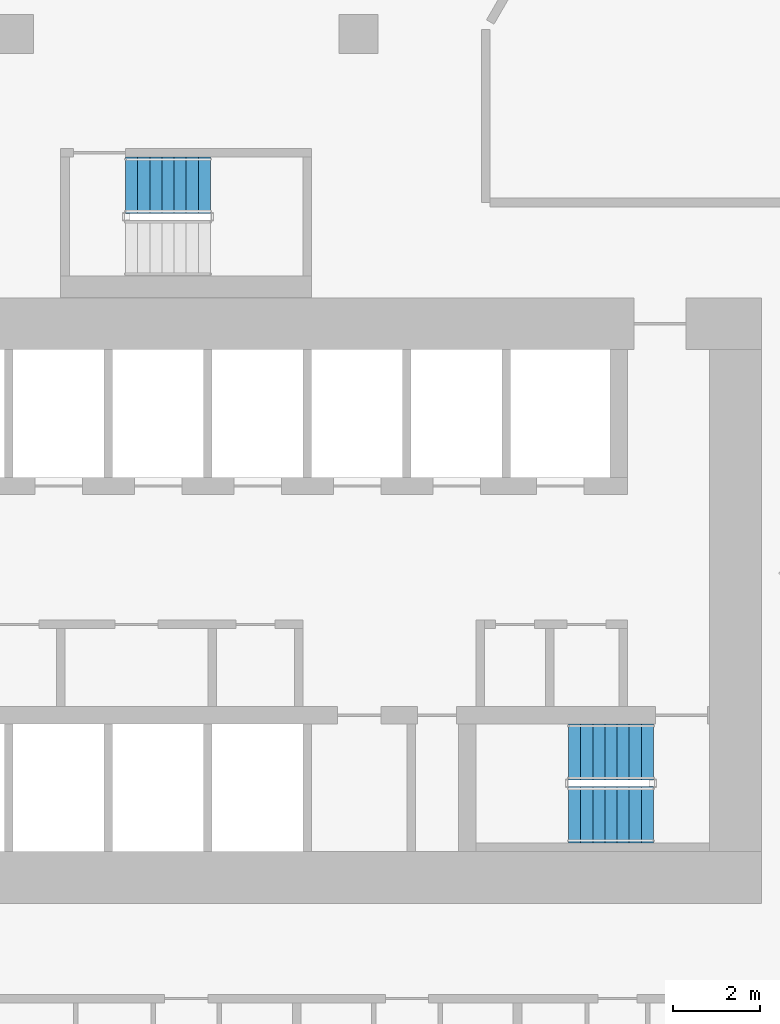
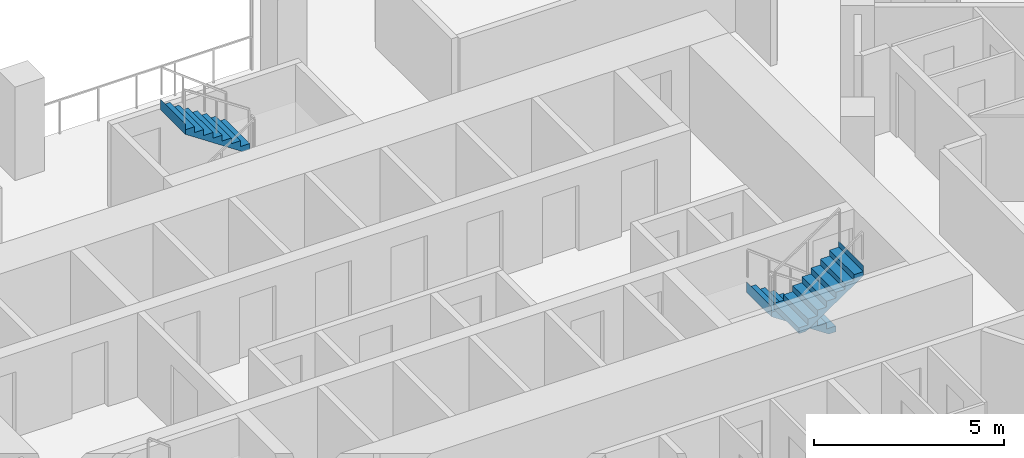
# One storey, part 17 of 21: 3 stair flights, 2 elements without a shape of their own.
"""IFC4 building model written with IfcOpenShell, lengths in metres."""

from ifc_helpers import new_model, si_unit, direction, frame, origin, place, context, subcontext, project, spatial, triangles, material, type_object, element, aggregate, save


model = new_model("IFC4")

# Units and contexts
model_context = context("Model", 3, precision=1e-05, world=origin(), true_north=direction((0.0, 1.0)))
body_context = subcontext(model_context, "Body", "Model", "MODEL_VIEW")
ifc_project = project(units=[si_unit("LENGTHUNIT", "METRE"), si_unit("AREAUNIT", "SQUARE_METRE"), si_unit("VOLUMEUNIT", "CUBIC_METRE"), si_unit("PLANEANGLEUNIT", "RADIAN"), si_unit("MASSUNIT", "GRAM", prefix="KILO")], contexts=[model_context])

# Site, building, storey
site_placement = place(None, origin())
site = spatial("IfcSite", under=ifc_project, at=site_placement, CompositionType="ELEMENT")
building_placement = place(site_placement, origin())
building = spatial("IfcBuilding", under=site, at=building_placement, Name="Beryl Residences", CompositionType="ELEMENT")
storey_placement = place(building_placement, frame((0.0, 0.0, 35.39990234375)))
storey = spatial("IfcBuildingStorey", under=building, at=storey_placement, Name="L10", CompositionType="ELEMENT", Elevation=35.39990234375)

# Stair, stair flights
ifc_material_1 = material(Name="Concrete C40/50", Category="concrete")
stair_type = type_object("IfcStairType", Name="ST1 protected exit stair, half-turn, 1300 mm flights", PredefinedType="HALF_TURN_STAIR", material=ifc_material_1)
stair_1_placement = place(storey_placement, origin())
stair_1 = element("IfcStair", 1, at=stair_1_placement, inside=storey, type_object=stair_type, Name="L10 PROTECTED EXIT STAIR ST-3", PredefinedType="HALF_TURN_STAIR")
ifc_material_2 = material(Name="Concrete C40/50", Category="concrete")
stair_flight_type = type_object("IfcStairFlightType", Name="SF1 stair flight 1300 mm", PredefinedType="STRAIGHT", material=ifc_material_2)
stair_flight_1_placement = place(storey_placement, frame((10.800048828125, -15.5, 0.0), z_axis=(0.0, 0.0, 1.0), x_axis=(-1.0, 0.0, 0.0)))
stair_flight_1 = element("IfcStairFlight", 2, at=stair_flight_1_placement, type_object=stair_flight_type, Name="ST-3 flight 1", NumberOfRisers=8, NumberOfTreads=7, PredefinedType="STRAIGHT", RiserHeight=0.1875, TreadLength=0.28, context=body_context, shape_type="Tessellation", body=[
    triangles([(0.0, -0.64990234375, 0.0), (0.0, -0.324951171875, 0.0), (0.0, 0.0, 0.0), (0.0, 0.324951171875, 0.0), (0.0, 0.64990234375, 0.0), (0.0, -0.64990234375, 0.1875), (0.0, -0.324951171875, 0.1875), (0.0, 0.0, 0.1875), (0.0, 0.324951171875, 0.1875), (0.0, 0.64990234375, 0.1875), (0.280029296875, -0.64990234375, 0.1875), (0.280029296875, -0.324951171875, 0.1875), (0.280029296875, 0.0, 0.1875), (0.280029296875, 0.324951171875, 0.1875), (0.280029296875, 0.64990234375, 0.1875), (0.280029296875, -0.64990234375, 0.375), (0.280029296875, -0.324951171875, 0.375), (0.280029296875, 0.0, 0.375), (0.280029296875, 0.324951171875, 0.375), (0.280029296875, 0.64990234375, 0.375), (0.56005859375, -0.64990234375, 0.375), (0.56005859375, -0.324951171875, 0.375), (0.56005859375, 0.0, 0.375), (0.56005859375, 0.324951171875, 0.375), (0.56005859375, 0.64990234375, 0.375), (0.56005859375, -0.64990234375, 0.5625), (0.56005859375, -0.324951171875, 0.5625), (0.56005859375, 0.0, 0.5625), (0.56005859375, 0.324951171875, 0.5625), (0.56005859375, 0.64990234375, 0.5625), (0.840087890625, -0.64990234375, 0.5625), (0.840087890625, -0.324951171875, 0.5625), (0.840087890625, 0.0, 0.5625), (0.840087890625, 0.324951171875, 0.5625), (0.840087890625, 0.64990234375, 0.5625), (0.840087890625, -0.64990234375, 0.75), (0.840087890625, -0.324951171875, 0.75), (0.840087890625, 0.0, 0.75), (0.840087890625, 0.324951171875, 0.75), (0.840087890625, 0.64990234375, 0.75), (1.1201171875, -0.64990234375, 0.75), (1.1201171875, -0.324951171875, 0.75), (1.1201171875, 0.0, 0.75), (1.1201171875, 0.324951171875, 0.75), (1.1201171875, 0.64990234375, 0.75), (1.1201171875, -0.64990234375, 0.9375), (1.1201171875, -0.324951171875, 0.9375), (1.1201171875, 0.0, 0.9375), (1.1201171875, 0.324951171875, 0.9375), (1.1201171875, 0.64990234375, 0.9375), (1.39990234375, -0.64990234375, 0.9375), (1.39990234375, -0.324951171875, 0.9375), (1.39990234375, 0.0, 0.9375), (1.39990234375, 0.324951171875, 0.9375), (1.39990234375, 0.64990234375, 0.9375), (1.39990234375, -0.64990234375, 1.125), (1.39990234375, -0.324951171875, 1.125), (1.39990234375, 0.0, 1.125), (1.39990234375, 0.324951171875, 1.125), (1.39990234375, 0.64990234375, 1.125), (1.679931640625, -0.64990234375, 1.125), (1.679931640625, -0.324951171875, 1.125), (1.679931640625, 0.0, 1.125), (1.679931640625, 0.324951171875, 1.125), (1.679931640625, 0.64990234375, 1.125), (1.679931640625, -0.64990234375, 1.3125), (1.679931640625, -0.324951171875, 1.3125), (1.679931640625, 0.0, 1.3125), (1.679931640625, 0.324951171875, 1.3125), (1.679931640625, 0.64990234375, 1.3125), (1.9599609375, -0.64990234375, 1.3125), (1.9599609375, -0.324951171875, 1.3125), (1.9599609375, 0.0, 1.3125), (1.9599609375, 0.324951171875, 1.3125), (1.9599609375, 0.64990234375, 1.3125), (1.9599609375, -0.64990234375, 1.5), (1.9599609375, -0.324951171875, 1.5), (1.9599609375, 0.0, 1.5), (1.9599609375, 0.324951171875, 1.5), (1.9599609375, 0.64990234375, 1.5), (1.9609375, -0.64990234375, 1.5), (1.9609375, -0.324951171875, 1.5), (1.9609375, 0.0, 1.5), (1.9609375, 0.324951171875, 1.5), (1.9609375, 0.64990234375, 1.5), (1.9609375, -0.64990234375, 1.16796875), (1.9609375, -0.324951171875, 1.16796875), (1.9609375, 0.0, 1.16796875), (1.9609375, 0.324951171875, 1.16796875), (1.9609375, 0.64990234375, 1.16796875), (0.216796875, -0.64990234375, 0.0), (0.216796875, -0.324951171875, 0.0), (0.216796875, 0.0, 0.0), (0.216796875, 0.324951171875, 0.0), (0.216796875, 0.64990234375, 0.0)], [[1, 6, 7], [1, 7, 2], [2, 7, 8], [2, 8, 3], [3, 8, 9], [3, 9, 4], [4, 9, 10], [4, 10, 5], [6, 11, 12], [6, 12, 7], [7, 12, 13], [7, 13, 8], [8, 13, 14], [8, 14, 9], [9, 14, 15], [9, 15, 10], [11, 16, 17], [11, 17, 12], [12, 17, 18], [12, 18, 13], [13, 18, 19], [13, 19, 14], [14, 19, 20], [14, 20, 15], [16, 21, 22], [16, 22, 17], [17, 22, 23], [17, 23, 18], [18, 23, 24], [18, 24, 19], [19, 24, 25], [19, 25, 20], [21, 26, 27], [21, 27, 22], [22, 27, 28], [22, 28, 23], [23, 28, 29], [23, 29, 24], [24, 29, 30], [24, 30, 25], [26, 31, 32], [26, 32, 27], [27, 32, 33], [27, 33, 28], [28, 33, 34], [28, 34, 29], [29, 34, 35], [29, 35, 30], [31, 36, 37], [31, 37, 32], [32, 37, 38], [32, 38, 33], [33, 38, 39], [33, 39, 34], [34, 39, 40], [34, 40, 35], [36, 41, 42], [36, 42, 37], [37, 42, 43], [37, 43, 38], [38, 43, 44], [38, 44, 39], [39, 44, 45], [39, 45, 40], [41, 46, 47], [41, 47, 42], [42, 47, 48], [42, 48, 43], [43, 48, 49], [43, 49, 44], [44, 49, 50], [44, 50, 45], [46, 51, 52], [46, 52, 47], [47, 52, 53], [47, 53, 48], [48, 53, 54], [48, 54, 49], [49, 54, 55], [49, 55, 50], [51, 56, 57], [51, 57, 52], [52, 57, 58], [52, 58, 53], [53, 58, 59], [53, 59, 54], [54, 59, 60], [54, 60, 55], [56, 61, 62], [56, 62, 57], [57, 62, 63], [57, 63, 58], [58, 63, 64], [58, 64, 59], [59, 64, 65], [59, 65, 60], [61, 66, 67], [61, 67, 62], [62, 67, 68], [62, 68, 63], [63, 68, 69], [63, 69, 64], [64, 69, 70], [64, 70, 65], [66, 71, 72], [66, 72, 67], [67, 72, 73], [67, 73, 68], [68, 73, 74], [68, 74, 69], [69, 74, 75], [69, 75, 70], [71, 76, 77], [71, 77, 72], [72, 77, 78], [72, 78, 73], [73, 78, 79], [73, 79, 74], [74, 79, 80], [74, 80, 75], [76, 81, 82], [76, 82, 77], [77, 82, 83], [77, 83, 78], [78, 83, 84], [78, 84, 79], [79, 84, 85], [79, 85, 80], [81, 86, 87], [81, 87, 82], [82, 87, 88], [82, 88, 83], [83, 88, 89], [83, 89, 84], [84, 89, 90], [84, 90, 85], [86, 91, 92], [86, 92, 87], [87, 92, 93], [87, 93, 88], [88, 93, 94], [88, 94, 89], [89, 94, 95], [89, 95, 90], [91, 1, 2], [91, 2, 92], [92, 2, 3], [92, 3, 93], [93, 3, 4], [93, 4, 94], [94, 4, 5], [94, 5, 95], [1, 91, 86], [5, 90, 95], [86, 81, 76], [90, 80, 85], [86, 76, 71], [90, 75, 80], [86, 71, 66], [90, 70, 75], [86, 66, 61], [90, 65, 70], [61, 56, 51], [65, 55, 60], [86, 61, 51], [90, 55, 65], [51, 46, 41], [55, 45, 50], [86, 51, 41], [90, 45, 55], [41, 36, 31], [45, 35, 40], [86, 41, 31], [90, 35, 45], [31, 26, 21], [35, 25, 30], [86, 31, 21], [90, 25, 35], [21, 16, 11], [25, 15, 20], [86, 21, 11], [90, 15, 25], [1, 86, 11], [5, 15, 90], [11, 6, 1], [15, 5, 10]], closed=True),
])
stair_flight_2_placement = place(storey_placement, frame((8.840087890625, -16.949951171875, 1.5), z_axis=(0.0, 0.0, 1.0), x_axis=(1.0, 0.0, 0.0)))
stair_flight_2 = element("IfcStairFlight", 3, at=stair_flight_2_placement, type_object=stair_flight_type, Name="ST-3 flight 2", NumberOfRisers=8, NumberOfTreads=7, PredefinedType="STRAIGHT", RiserHeight=0.1875, TreadLength=0.28, context=body_context, shape_type="Tessellation", body=[
    triangles([(0.0, -0.64990234375, 0.0), (0.0, -0.324951171875, 0.0), (0.0, 0.0, 0.0), (0.0, 0.324951171875, 0.0), (0.0, 0.64990234375, 0.0), (0.0, -0.64990234375, 0.1875), (0.0, -0.324951171875, 0.1875), (0.0, 0.0, 0.1875), (0.0, 0.324951171875, 0.1875), (0.0, 0.64990234375, 0.1875), (0.280029296875, -0.64990234375, 0.1875), (0.280029296875, -0.324951171875, 0.1875), (0.280029296875, 0.0, 0.1875), (0.280029296875, 0.324951171875, 0.1875), (0.280029296875, 0.64990234375, 0.1875), (0.280029296875, -0.64990234375, 0.375), (0.280029296875, -0.324951171875, 0.375), (0.280029296875, 0.0, 0.375), (0.280029296875, 0.324951171875, 0.375), (0.280029296875, 0.64990234375, 0.375), (0.56005859375, -0.64990234375, 0.375), (0.56005859375, -0.324951171875, 0.375), (0.56005859375, 0.0, 0.375), (0.56005859375, 0.324951171875, 0.375), (0.56005859375, 0.64990234375, 0.375), (0.56005859375, -0.64990234375, 0.5625), (0.56005859375, -0.324951171875, 0.5625), (0.56005859375, 0.0, 0.5625), (0.56005859375, 0.324951171875, 0.5625), (0.56005859375, 0.64990234375, 0.5625), (0.840087890625, -0.64990234375, 0.5625), (0.840087890625, -0.324951171875, 0.5625), (0.840087890625, 0.0, 0.5625), (0.840087890625, 0.324951171875, 0.5625), (0.840087890625, 0.64990234375, 0.5625), (0.840087890625, -0.64990234375, 0.75), (0.840087890625, -0.324951171875, 0.75), (0.840087890625, 0.0, 0.75), (0.840087890625, 0.324951171875, 0.75), (0.840087890625, 0.64990234375, 0.75), (1.1201171875, -0.64990234375, 0.75), (1.1201171875, -0.324951171875, 0.75), (1.1201171875, 0.0, 0.75), (1.1201171875, 0.324951171875, 0.75), (1.1201171875, 0.64990234375, 0.75), (1.1201171875, -0.64990234375, 0.9375), (1.1201171875, -0.324951171875, 0.9375), (1.1201171875, 0.0, 0.9375), (1.1201171875, 0.324951171875, 0.9375), (1.1201171875, 0.64990234375, 0.9375), (1.39990234375, -0.64990234375, 0.9375), (1.39990234375, -0.324951171875, 0.9375), (1.39990234375, 0.0, 0.9375), (1.39990234375, 0.324951171875, 0.9375), (1.39990234375, 0.64990234375, 0.9375), (1.39990234375, -0.64990234375, 1.125), (1.39990234375, -0.324951171875, 1.125), (1.39990234375, 0.0, 1.125), (1.39990234375, 0.324951171875, 1.125), (1.39990234375, 0.64990234375, 1.125), (1.679931640625, -0.64990234375, 1.125), (1.679931640625, -0.324951171875, 1.125), (1.679931640625, 0.0, 1.125), (1.679931640625, 0.324951171875, 1.125), (1.679931640625, 0.64990234375, 1.125), (1.679931640625, -0.64990234375, 1.3125), (1.679931640625, -0.324951171875, 1.3125), (1.679931640625, 0.0, 1.3125), (1.679931640625, 0.324951171875, 1.3125), (1.679931640625, 0.64990234375, 1.3125), (1.9599609375, -0.64990234375, 1.3125), (1.9599609375, -0.324951171875, 1.3125), (1.9599609375, 0.0, 1.3125), (1.9599609375, 0.324951171875, 1.3125), (1.9599609375, 0.64990234375, 1.3125), (1.9599609375, -0.64990234375, 1.5), (1.9599609375, -0.324951171875, 1.5), (1.9599609375, 0.0, 1.5), (1.9599609375, 0.324951171875, 1.5), (1.9599609375, 0.64990234375, 1.5), (1.9609375, -0.64990234375, 1.5), (1.9609375, -0.324951171875, 1.5), (1.9609375, 0.0, 1.5), (1.9609375, 0.324951171875, 1.5), (1.9609375, 0.64990234375, 1.5), (1.9609375, -0.64990234375, 1.16796875), (1.9609375, -0.324951171875, 1.16796875), (1.9609375, 0.0, 1.16796875), (1.9609375, 0.324951171875, 1.16796875), (1.9609375, 0.64990234375, 1.16796875), (0.216796875, -0.64990234375, 0.0), (0.216796875, -0.324951171875, 0.0), (0.216796875, 0.0, 0.0), (0.216796875, 0.324951171875, 0.0), (0.216796875, 0.64990234375, 0.0)], [[1, 6, 7], [1, 7, 2], [2, 7, 8], [2, 8, 3], [3, 8, 9], [3, 9, 4], [4, 9, 10], [4, 10, 5], [6, 11, 12], [6, 12, 7], [7, 12, 13], [7, 13, 8], [8, 13, 14], [8, 14, 9], [9, 14, 15], [9, 15, 10], [11, 16, 17], [11, 17, 12], [12, 17, 18], [12, 18, 13], [13, 18, 19], [13, 19, 14], [14, 19, 20], [14, 20, 15], [16, 21, 22], [16, 22, 17], [17, 22, 23], [17, 23, 18], [18, 23, 24], [18, 24, 19], [19, 24, 25], [19, 25, 20], [21, 26, 27], [21, 27, 22], [22, 27, 28], [22, 28, 23], [23, 28, 29], [23, 29, 24], [24, 29, 30], [24, 30, 25], [26, 31, 32], [26, 32, 27], [27, 32, 33], [27, 33, 28], [28, 33, 34], [28, 34, 29], [29, 34, 35], [29, 35, 30], [31, 36, 37], [31, 37, 32], [32, 37, 38], [32, 38, 33], [33, 38, 39], [33, 39, 34], [34, 39, 40], [34, 40, 35], [36, 41, 42], [36, 42, 37], [37, 42, 43], [37, 43, 38], [38, 43, 44], [38, 44, 39], [39, 44, 45], [39, 45, 40], [41, 46, 47], [41, 47, 42], [42, 47, 48], [42, 48, 43], [43, 48, 49], [43, 49, 44], [44, 49, 50], [44, 50, 45], [46, 51, 52], [46, 52, 47], [47, 52, 53], [47, 53, 48], [48, 53, 54], [48, 54, 49], [49, 54, 55], [49, 55, 50], [51, 56, 57], [51, 57, 52], [52, 57, 58], [52, 58, 53], [53, 58, 59], [53, 59, 54], [54, 59, 60], [54, 60, 55], [56, 61, 62], [56, 62, 57], [57, 62, 63], [57, 63, 58], [58, 63, 64], [58, 64, 59], [59, 64, 65], [59, 65, 60], [61, 66, 67], [61, 67, 62], [62, 67, 68], [62, 68, 63], [63, 68, 69], [63, 69, 64], [64, 69, 70], [64, 70, 65], [66, 71, 72], [66, 72, 67], [67, 72, 73], [67, 73, 68], [68, 73, 74], [68, 74, 69], [69, 74, 75], [69, 75, 70], [71, 76, 77], [71, 77, 72], [72, 77, 78], [72, 78, 73], [73, 78, 79], [73, 79, 74], [74, 79, 80], [74, 80, 75], [76, 81, 82], [76, 82, 77], [77, 82, 83], [77, 83, 78], [78, 83, 84], [78, 84, 79], [79, 84, 85], [79, 85, 80], [81, 86, 87], [81, 87, 82], [82, 87, 88], [82, 88, 83], [83, 88, 89], [83, 89, 84], [84, 89, 90], [84, 90, 85], [86, 91, 92], [86, 92, 87], [87, 92, 93], [87, 93, 88], [88, 93, 94], [88, 94, 89], [89, 94, 95], [89, 95, 90], [91, 1, 2], [91, 2, 92], [92, 2, 3], [92, 3, 93], [93, 3, 4], [93, 4, 94], [94, 4, 5], [94, 5, 95], [1, 91, 86], [5, 90, 95], [86, 81, 76], [90, 80, 85], [86, 76, 71], [90, 75, 80], [86, 71, 66], [90, 70, 75], [86, 66, 61], [90, 65, 70], [61, 56, 51], [65, 55, 60], [86, 61, 51], [90, 55, 65], [51, 46, 41], [55, 45, 50], [86, 51, 41], [90, 45, 55], [41, 36, 31], [45, 35, 40], [86, 41, 31], [90, 35, 45], [31, 26, 21], [35, 25, 30], [86, 31, 21], [90, 25, 35], [21, 16, 11], [25, 15, 20], [86, 21, 11], [90, 15, 25], [1, 86, 11], [5, 15, 90], [11, 6, 1], [15, 5, 10]], closed=True),
])
aggregate(stair_1, [stair_flight_1, stair_flight_2])

# Stair, stair flight
stair_2_placement = place(storey_placement, origin())
stair_2 = element("IfcStair", 4, at=stair_2_placement, inside=storey, type_object=stair_type, Name="L10 PROTECTED EXIT STAIR ST-4", PredefinedType="HALF_TURN_STAIR")
stair_flight_3_placement = place(storey_placement, frame((0.56005859375, -2.39990234375, 1.5), z_axis=(0.0, 0.0, 1.0), x_axis=(-1.0, 0.0, 0.0)))
stair_flight_3 = element("IfcStairFlight", 5, at=stair_flight_3_placement, type_object=stair_flight_type, Name="ST-4 flight 2", NumberOfRisers=8, NumberOfTreads=7, PredefinedType="STRAIGHT", RiserHeight=0.1875, TreadLength=0.28, context=body_context, shape_type="Tessellation", body=[
    triangles([(0.0, -0.64990234375, 0.0), (0.0, -0.324951171875, 0.0), (0.0, 0.0, 0.0), (0.0, 0.324951171875, 0.0), (0.0, 0.64990234375, 0.0), (0.0, -0.64990234375, 0.1875), (0.0, -0.324951171875, 0.1875), (0.0, 0.0, 0.1875), (0.0, 0.324951171875, 0.1875), (0.0, 0.64990234375, 0.1875), (0.280029296875, -0.64990234375, 0.1875), (0.280029296875, -0.324951171875, 0.1875), (0.280029296875, 0.0, 0.1875), (0.280029296875, 0.324951171875, 0.1875), (0.280029296875, 0.64990234375, 0.1875), (0.280029296875, -0.64990234375, 0.375), (0.280029296875, -0.324951171875, 0.375), (0.280029296875, 0.0, 0.375), (0.280029296875, 0.324951171875, 0.375), (0.280029296875, 0.64990234375, 0.375), (0.56005859375, -0.64990234375, 0.375), (0.56005859375, -0.324951171875, 0.375), (0.56005859375, 0.0, 0.375), (0.56005859375, 0.324951171875, 0.375), (0.56005859375, 0.64990234375, 0.375), (0.56005859375, -0.64990234375, 0.5625), (0.56005859375, -0.324951171875, 0.5625), (0.56005859375, 0.0, 0.5625), (0.56005859375, 0.324951171875, 0.5625), (0.56005859375, 0.64990234375, 0.5625), (0.840087890625, -0.64990234375, 0.5625), (0.840087890625, -0.324951171875, 0.5625), (0.840087890625, 0.0, 0.5625), (0.840087890625, 0.324951171875, 0.5625), (0.840087890625, 0.64990234375, 0.5625), (0.840087890625, -0.64990234375, 0.75), (0.840087890625, -0.324951171875, 0.75), (0.840087890625, 0.0, 0.75), (0.840087890625, 0.324951171875, 0.75), (0.840087890625, 0.64990234375, 0.75), (1.1201171875, -0.64990234375, 0.75), (1.1201171875, -0.324951171875, 0.75), (1.1201171875, 0.0, 0.75), (1.1201171875, 0.324951171875, 0.75), (1.1201171875, 0.64990234375, 0.75), (1.1201171875, -0.64990234375, 0.9375), (1.1201171875, -0.324951171875, 0.9375), (1.1201171875, 0.0, 0.9375), (1.1201171875, 0.324951171875, 0.9375), (1.1201171875, 0.64990234375, 0.9375), (1.39990234375, -0.64990234375, 0.9375), (1.39990234375, -0.324951171875, 0.9375), (1.39990234375, 0.0, 0.9375), (1.39990234375, 0.324951171875, 0.9375), (1.39990234375, 0.64990234375, 0.9375), (1.39990234375, -0.64990234375, 1.125), (1.39990234375, -0.324951171875, 1.125), (1.39990234375, 0.0, 1.125), (1.39990234375, 0.324951171875, 1.125), (1.39990234375, 0.64990234375, 1.125), (1.679931640625, -0.64990234375, 1.125), (1.679931640625, -0.324951171875, 1.125), (1.679931640625, 0.0, 1.125), (1.679931640625, 0.324951171875, 1.125), (1.679931640625, 0.64990234375, 1.125), (1.679931640625, -0.64990234375, 1.3125), (1.679931640625, -0.324951171875, 1.3125), (1.679931640625, 0.0, 1.3125), (1.679931640625, 0.324951171875, 1.3125), (1.679931640625, 0.64990234375, 1.3125), (1.9599609375, -0.64990234375, 1.3125), (1.9599609375, -0.324951171875, 1.3125), (1.9599609375, 0.0, 1.3125), (1.9599609375, 0.324951171875, 1.3125), (1.9599609375, 0.64990234375, 1.3125), (1.9599609375, -0.64990234375, 1.5), (1.9599609375, -0.324951171875, 1.5), (1.9599609375, 0.0, 1.5), (1.9599609375, 0.324951171875, 1.5), (1.9599609375, 0.64990234375, 1.5), (1.9609375, -0.64990234375, 1.5), (1.9609375, -0.324951171875, 1.5), (1.9609375, 0.0, 1.5), (1.9609375, 0.324951171875, 1.5), (1.9609375, 0.64990234375, 1.5), (1.9609375, -0.64990234375, 1.16796875), (1.9609375, -0.324951171875, 1.16796875), (1.9609375, 0.0, 1.16796875), (1.9609375, 0.324951171875, 1.16796875), (1.9609375, 0.64990234375, 1.16796875), (0.216796875, -0.64990234375, 0.0), (0.216796875, -0.324951171875, 0.0), (0.216796875, 0.0, 0.0), (0.216796875, 0.324951171875, 0.0), (0.216796875, 0.64990234375, 0.0)], [[1, 6, 7], [1, 7, 2], [2, 7, 8], [2, 8, 3], [3, 8, 9], [3, 9, 4], [4, 9, 10], [4, 10, 5], [6, 11, 12], [6, 12, 7], [7, 12, 13], [7, 13, 8], [8, 13, 14], [8, 14, 9], [9, 14, 15], [9, 15, 10], [11, 16, 17], [11, 17, 12], [12, 17, 18], [12, 18, 13], [13, 18, 19], [13, 19, 14], [14, 19, 20], [14, 20, 15], [16, 21, 22], [16, 22, 17], [17, 22, 23], [17, 23, 18], [18, 23, 24], [18, 24, 19], [19, 24, 25], [19, 25, 20], [21, 26, 27], [21, 27, 22], [22, 27, 28], [22, 28, 23], [23, 28, 29], [23, 29, 24], [24, 29, 30], [24, 30, 25], [26, 31, 32], [26, 32, 27], [27, 32, 33], [27, 33, 28], [28, 33, 34], [28, 34, 29], [29, 34, 35], [29, 35, 30], [31, 36, 37], [31, 37, 32], [32, 37, 38], [32, 38, 33], [33, 38, 39], [33, 39, 34], [34, 39, 40], [34, 40, 35], [36, 41, 42], [36, 42, 37], [37, 42, 43], [37, 43, 38], [38, 43, 44], [38, 44, 39], [39, 44, 45], [39, 45, 40], [41, 46, 47], [41, 47, 42], [42, 47, 48], [42, 48, 43], [43, 48, 49], [43, 49, 44], [44, 49, 50], [44, 50, 45], [46, 51, 52], [46, 52, 47], [47, 52, 53], [47, 53, 48], [48, 53, 54], [48, 54, 49], [49, 54, 55], [49, 55, 50], [51, 56, 57], [51, 57, 52], [52, 57, 58], [52, 58, 53], [53, 58, 59], [53, 59, 54], [54, 59, 60], [54, 60, 55], [56, 61, 62], [56, 62, 57], [57, 62, 63], [57, 63, 58], [58, 63, 64], [58, 64, 59], [59, 64, 65], [59, 65, 60], [61, 66, 67], [61, 67, 62], [62, 67, 68], [62, 68, 63], [63, 68, 69], [63, 69, 64], [64, 69, 70], [64, 70, 65], [66, 71, 72], [66, 72, 67], [67, 72, 73], [67, 73, 68], [68, 73, 74], [68, 74, 69], [69, 74, 75], [69, 75, 70], [71, 76, 77], [71, 77, 72], [72, 77, 78], [72, 78, 73], [73, 78, 79], [73, 79, 74], [74, 79, 80], [74, 80, 75], [76, 81, 82], [76, 82, 77], [77, 82, 83], [77, 83, 78], [78, 83, 84], [78, 84, 79], [79, 84, 85], [79, 85, 80], [81, 86, 87], [81, 87, 82], [82, 87, 88], [82, 88, 83], [83, 88, 89], [83, 89, 84], [84, 89, 90], [84, 90, 85], [86, 91, 92], [86, 92, 87], [87, 92, 93], [87, 93, 88], [88, 93, 94], [88, 94, 89], [89, 94, 95], [89, 95, 90], [91, 1, 2], [91, 2, 92], [92, 2, 3], [92, 3, 93], [93, 3, 4], [93, 4, 94], [94, 4, 5], [94, 5, 95], [1, 91, 86], [5, 90, 95], [86, 81, 76], [90, 80, 85], [86, 76, 71], [90, 75, 80], [86, 71, 66], [90, 70, 75], [86, 66, 61], [90, 65, 70], [61, 56, 51], [65, 55, 60], [86, 61, 51], [90, 55, 65], [51, 46, 41], [55, 45, 50], [86, 51, 41], [90, 45, 55], [41, 36, 31], [45, 35, 40], [86, 41, 31], [90, 35, 45], [31, 26, 21], [35, 25, 30], [86, 31, 21], [90, 25, 35], [21, 16, 11], [25, 15, 20], [86, 21, 11], [90, 15, 25], [1, 86, 11], [5, 15, 90], [11, 6, 1], [15, 5, 10]], closed=True),
])
aggregate(stair_2, [stair_flight_3])

save(model, "model.ifc")
